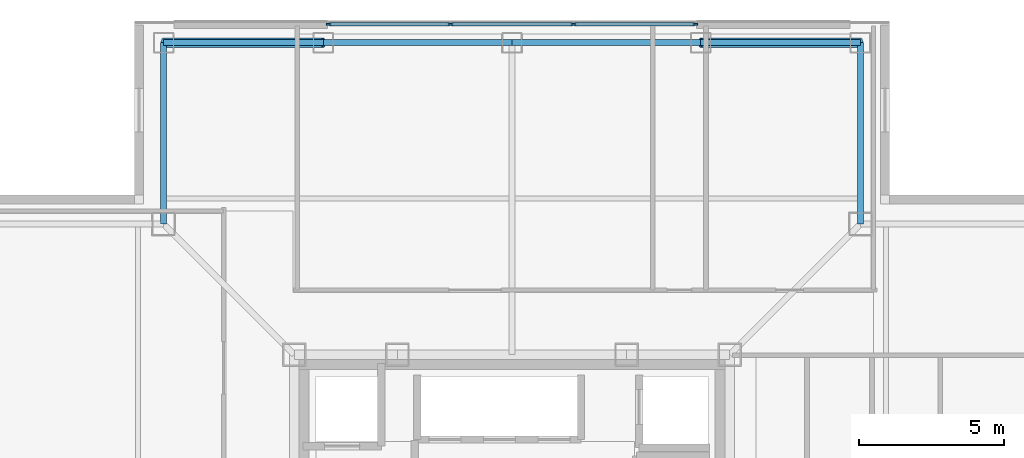
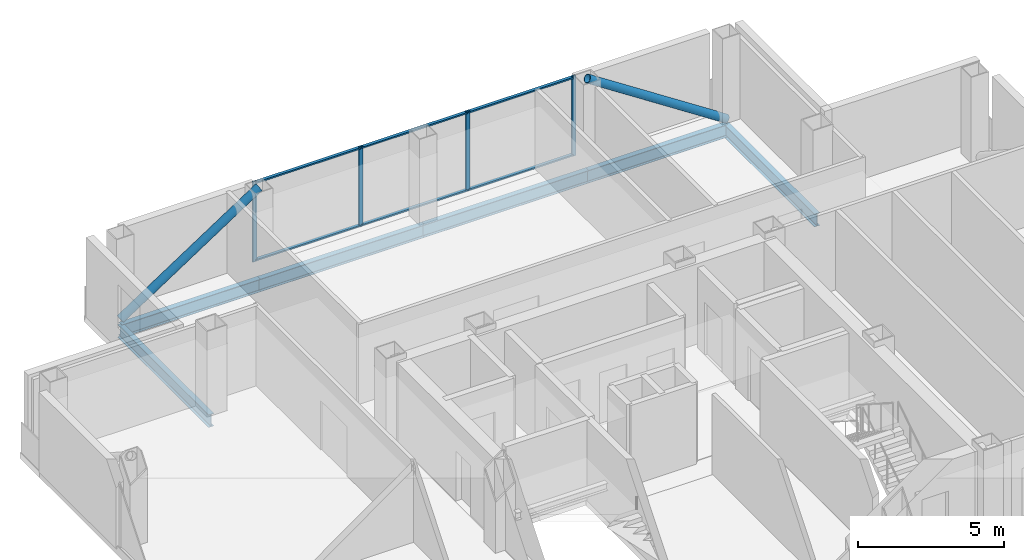
# One storey, part 7 of 16: 12 members, 6 beams, 1 element without a shape of its own.
"""IFC4 building model written with IfcOpenShell, lengths in metres."""

from ifc_helpers import new_model, si_unit, direction, frame, origin, origin_2d, place, context, subcontext, project, spatial, rectangle, hollow_circle, i_section, extrude, material, layer, layer_set, material_profile, profile_set, type_object, element, aggregate, save


model = new_model("IFC4")

# Units and contexts
model_context = context("Model", 3, precision=1e-05, world=origin(), true_north=direction((0.0, 1.0)))
body_context = subcontext(model_context, "Body", "Model", "MODEL_VIEW")
ifc_project = project(units=[si_unit("LENGTHUNIT", "METRE"), si_unit("AREAUNIT", "SQUARE_METRE"), si_unit("VOLUMEUNIT", "CUBIC_METRE"), si_unit("PLANEANGLEUNIT", "RADIAN"), si_unit("MASSUNIT", "GRAM", prefix="KILO")], contexts=[model_context])

# Site, building, storey
site_placement = place(None, origin())
site = spatial("IfcSite", under=ifc_project, at=site_placement, CompositionType="ELEMENT")
building_placement = place(site_placement, origin())
building = spatial("IfcBuilding", under=site, at=building_placement, Name="Trevonay Congress Spire", CompositionType="ELEMENT")
storey_placement = place(building_placement, frame((0.0, 0.0, 257.60009765625)))
storey = spatial("IfcBuildingStorey", under=building, at=storey_placement, Name="L67", CompositionType="ELEMENT", Elevation=257.60009765625)

# Beams
ifc_material_1 = material(Name="Steel ASTM A572 Grade 50", Category="steel")
ifc_material_profile_1 = material_profile(ifc_material_1, i_section(OverallWidth=0.208984375, OverallDepth=0.532958984375, WebThickness=0.01025390625, FlangeThickness=0.015625, FilletRadius=0.014892578125, at=origin_2d()), Name="W530x92")
ifc_profile_set_1 = profile_set([ifc_material_profile_1], Name="Steel ASTM A572 Grade 50")
beam_type = type_object("IfcBeamType", Name="BM-RING-W530X92", PredefinedType="BEAM", material=ifc_profile_set_1)
beam_1_placement = place(storey_placement, frame((-12.0, 18.25, -0.506591796875), z_axis=(1.0, 0.0, 0.0), x_axis=(0.0, 1.0, 0.0)))
element("IfcBeam", 1, at=beam_1_placement, inside=storey, type_object=beam_type, Name="L67 structural beam BM-L67-PN1", PredefinedType="BEAM", context=body_context, shape_type="SweptSolid", body=[
    extrude(i_section(OverallWidth=0.208984375, OverallDepth=0.532958984375, WebThickness=0.01025390625, FlangeThickness=0.015625, FilletRadius=0.014892578125, at=origin_2d()), origin(), (0.0, 0.0, 1.0), 5.5),
])
for number, where, z_axis, x_axis, name in (
    (2, (-6.5, 18.25, -0.506591796875), (1.0, 0.0, 0.0), (0.0, 1.0, 0.0), "L67 structural beam BM-L67-PN2"),
    (3, (0.0, 18.25, -0.506591796875), (1.0, 0.0, 0.0), (0.0, 1.0, 0.0), "L67 structural beam BM-L67-PN3"),
):
    element("IfcBeam", number, at=place(storey_placement, frame(where, z_axis=z_axis, x_axis=x_axis)), inside=storey, type_object=beam_type, Name=name, PredefinedType="BEAM", context=body_context, shape_type="SweptSolid", body=[
        extrude(i_section(OverallWidth=0.208984375, OverallDepth=0.532958984375, WebThickness=0.01025390625, FlangeThickness=0.015625, FilletRadius=0.014892578125, at=origin_2d()), origin(), (0.0, 0.0, 1.0), 6.5),
    ])
beam_2_placement = place(storey_placement, frame((6.5, 18.25, -0.506591796875), z_axis=(1.0, 0.0, 0.0), x_axis=(0.0, 1.0, 0.0)))
element("IfcBeam", 4, at=beam_2_placement, inside=storey, type_object=beam_type, Name="L67 structural beam BM-L67-PN4", PredefinedType="BEAM", context=body_context, shape_type="SweptSolid", body=[
    extrude(i_section(OverallWidth=0.208984375, OverallDepth=0.532958984375, WebThickness=0.01025390625, FlangeThickness=0.015625, FilletRadius=0.014892578125, at=origin_2d()), origin(), (0.0, 0.0, 1.0), 5.5),
])
for number, where, z_axis, x_axis, name in (
    (5, (12.0, 18.25, -0.506591796875), (0.0, -1.0, 0.0), (1.0, 0.0, 0.0), "L67 structural beam BM-L67-N1NE"),
    (6, (-12.0, 18.25, -0.506591796875), (0.0, -1.0, 0.0), (1.0, 0.0, 0.0), "L67 structural beam BM-L67-N1NW"),
):
    element("IfcBeam", number, at=place(storey_placement, frame(where, z_axis=z_axis, x_axis=x_axis)), inside=storey, type_object=beam_type, Name=name, PredefinedType="BEAM", context=body_context, shape_type="SweptSolid", body=[
        extrude(i_section(OverallWidth=0.208984375, OverallDepth=0.532958984375, WebThickness=0.01025390625, FlangeThickness=0.015625, FilletRadius=0.014892578125, at=origin_2d()), origin(), (0.0, 0.0, 1.0), 6.25),
    ])

# Curtain wall, members
ifc_material_2 = material(Name="Pale Anodised Aluminium EN AW-6063-T6", Category="aluminium")
ifc_layer = layer(ifc_material_2, 0.1650390625, Name="Pale Anodised Aluminium EN AW-6063-T6")
ifc_layer_set = layer_set([ifc_layer], Name="Pale Anodised Aluminium EN AW-6063-T6")
curtain_wall_type = type_object("IfcCurtainWallType", Name="CW-SYS05-DIPLOM-PALE-METAL", PredefinedType="NOTDEFINED", material=ifc_layer_set)
curtain_wall_placement = place(storey_placement, origin())
curtain_wall = element("IfcCurtainWall", 7, at=curtain_wall_placement, inside=storey, type_object=curtain_wall_type, Name="L67 N unitised curtain wall", PredefinedType="NOTDEFINED")
ifc_material_profile_2 = material_profile(ifc_material_2, rectangle(XDim=0.06005859375, YDim=0.159912109375, at=origin_2d()), Name="CW-MULLION-160-ALUMINIUM")
ifc_profile_set_2 = profile_set([ifc_material_profile_2], Name="Pale Anodised Aluminium EN AW-6063-T6")
member_type_1 = type_object("IfcMemberType", Name="CW-MULLION-160-ALUMINIUM", PredefinedType="MULLION", material=ifc_profile_set_2)
member_1_placement = place(storey_placement, frame((-6.320068359375, 18.8798828125, 0.0), z_axis=(0.0, 0.0, 1.0), x_axis=(0.0, 1.0, 0.0)))
member_1 = element("IfcMember", 8, at=member_1_placement, type_object=member_type_1, Name="CW05 mullion 1", PredefinedType="MULLION", context=body_context, shape_type="SweptSolid", body=[
    extrude(rectangle(XDim=0.06005859375, YDim=0.159912109375, at=origin_2d()), origin(), (0.0, 0.0, 1.0), 3.35986328125),
])
member_2_placement = place(storey_placement, frame((-2.11669921875, 18.8798828125, 0.0), z_axis=(0.0, 0.0, 1.0), x_axis=(0.0, 1.0, 0.0)))
member_2 = element("IfcMember", 9, at=member_2_placement, type_object=member_type_1, Name="CW05 mullion 2", PredefinedType="MULLION", context=body_context, shape_type="SweptSolid", body=[
    extrude(rectangle(XDim=0.06005859375, YDim=0.159912109375, at=origin_2d()), origin(), (0.0, 0.0, 1.0), 3.35986328125),
])
member_3_placement = place(storey_placement, frame((2.11669921875, 18.8798828125, 0.0), z_axis=(0.0, 0.0, 1.0), x_axis=(0.0, 1.0, 0.0)))
member_3 = element("IfcMember", 10, at=member_3_placement, type_object=member_type_1, Name="CW05 mullion 3", PredefinedType="MULLION", context=body_context, shape_type="SweptSolid", body=[
    extrude(rectangle(XDim=0.06005859375, YDim=0.159912109375, at=origin_2d()), origin(), (0.0, 0.0, 1.0), 3.35986328125),
])
member_4_placement = place(storey_placement, frame((6.320068359375, 18.8798828125, 0.0), z_axis=(0.0, 0.0, 1.0), x_axis=(0.0, 1.0, 0.0)))
member_4 = element("IfcMember", 11, at=member_4_placement, type_object=member_type_1, Name="CW05 mullion 4", PredefinedType="MULLION", context=body_context, shape_type="SweptSolid", body=[
    extrude(rectangle(XDim=0.06005859375, YDim=0.159912109375, at=origin_2d()), origin(), (0.0, 0.0, 1.0), 3.35986328125),
])
ifc_material_profile_3 = material_profile(ifc_material_2, rectangle(XDim=0.1201171875, YDim=0.06005859375, at=origin_2d()), Name="CW-TRANSOM-120-ALUMINIUM")
ifc_profile_set_3 = profile_set([ifc_material_profile_3], Name="Pale Anodised Aluminium EN AW-6063-T6")
member_type_2 = type_object("IfcMemberType", Name="CW-TRANSOM-120-ALUMINIUM", PredefinedType="USERDEFINED", material=ifc_profile_set_3)
member_5_placement = place(storey_placement, frame((-6.2900390625, 18.8798828125, 0.059814453125), z_axis=(1.0, 0.0, 0.0), x_axis=(0.0, 1.0, 0.0)))
member_5 = element("IfcMember", 12, at=member_5_placement, type_object=member_type_2, Name="CW05 transom 1.1", ObjectType="TRANSOM", PredefinedType="USERDEFINED", context=body_context, shape_type="SweptSolid", body=[
    extrude(rectangle(XDim=0.1201171875, YDim=0.06005859375, at=origin_2d()), origin(), (0.0, 0.0, 1.0), 4.143310546875),
])
member_6_placement = place(storey_placement, frame((-6.2900390625, 18.8798828125, 3.2998046875), z_axis=(1.0, 0.0, 0.0), x_axis=(0.0, 1.0, 0.0)))
member_6 = element("IfcMember", 13, at=member_6_placement, type_object=member_type_2, Name="CW05 transom 1.2", ObjectType="TRANSOM", PredefinedType="USERDEFINED", context=body_context, shape_type="SweptSolid", body=[
    extrude(rectangle(XDim=0.1201171875, YDim=0.06005859375, at=origin_2d()), origin(), (0.0, 0.0, 1.0), 4.143310546875),
])
member_7_placement = place(storey_placement, frame((-2.086669921875, 18.8798828125, 0.059814453125), z_axis=(1.0, 0.0, 0.0), x_axis=(0.0, 1.0, 0.0)))
member_7 = element("IfcMember", 14, at=member_7_placement, type_object=member_type_2, Name="CW05 transom 2.1", ObjectType="TRANSOM", PredefinedType="USERDEFINED", context=body_context, shape_type="SweptSolid", body=[
    extrude(rectangle(XDim=0.1201171875, YDim=0.06005859375, at=origin_2d()), origin(), (0.0, 0.0, 1.0), 4.17333984375),
])
member_8_placement = place(storey_placement, frame((-2.086669921875, 18.8798828125, 3.2998046875), z_axis=(1.0, 0.0, 0.0), x_axis=(0.0, 1.0, 0.0)))
member_8 = element("IfcMember", 15, at=member_8_placement, type_object=member_type_2, Name="CW05 transom 2.2", ObjectType="TRANSOM", PredefinedType="USERDEFINED", context=body_context, shape_type="SweptSolid", body=[
    extrude(rectangle(XDim=0.1201171875, YDim=0.06005859375, at=origin_2d()), origin(), (0.0, 0.0, 1.0), 4.17333984375),
])
member_9_placement = place(storey_placement, frame((2.146728515625, 18.8798828125, 0.059814453125), z_axis=(1.0, 0.0, 0.0), x_axis=(0.0, 1.0, 0.0)))
member_9 = element("IfcMember", 16, at=member_9_placement, type_object=member_type_2, Name="CW05 transom 3.1", ObjectType="TRANSOM", PredefinedType="USERDEFINED", context=body_context, shape_type="SweptSolid", body=[
    extrude(rectangle(XDim=0.1201171875, YDim=0.06005859375, at=origin_2d()), origin(), (0.0, 0.0, 1.0), 4.143310546875),
])
member_10_placement = place(storey_placement, frame((2.146728515625, 18.8798828125, 3.2998046875), z_axis=(1.0, 0.0, 0.0), x_axis=(0.0, 1.0, 0.0)))
member_10 = element("IfcMember", 17, at=member_10_placement, type_object=member_type_2, Name="CW05 transom 3.2", ObjectType="TRANSOM", PredefinedType="USERDEFINED", context=body_context, shape_type="SweptSolid", body=[
    extrude(rectangle(XDim=0.1201171875, YDim=0.06005859375, at=origin_2d()), origin(), (0.0, 0.0, 1.0), 4.143310546875),
])
aggregate(curtain_wall, [member_1, member_2, member_3, member_4, member_5, member_6, member_7, member_8, member_9, member_10])

# Members
ifc_material_3 = material(Name="Steel ASTM A500 Grade C", Category="steel")
ifc_material_profile_4 = material_profile(ifc_material_3, hollow_circle(Radius=0.161865234375, WallThickness=0.01611328125, at=origin_2d()), Name="CHS 323.9x16")
ifc_profile_set_4 = profile_set([ifc_material_profile_4], Name="Steel ASTM A500 Grade C")
member_type_3 = type_object("IfcMemberType", Name="MBR-TUBE-CHS324", PredefinedType="BRACE", material=ifc_profile_set_4)
for number, where, z_axis, x_axis, name in (
    (18, (-12.0, 18.25, -0.050048828125), (0.836711728151, 0.0, 0.547643573845), (0.0, 1.0, 0.0), "L67 perimeter braced-tube diagonal N0"),
    (19, (12.0, 18.25, -0.050048828125), (-0.836711728151, 0.0, 0.547643573845), (0.0, -1.0, 0.0), "L67 perimeter braced-tube diagonal N3"),
):
    element("IfcMember", number, at=place(storey_placement, frame(where, z_axis=z_axis, x_axis=x_axis)), inside=storey, type_object=member_type_3, Name=name, PredefinedType="BRACE", context=body_context, shape_type="SweptSolid", body=[
        extrude(hollow_circle(Radius=0.161865234375, WallThickness=0.01611328125, at=origin_2d()), origin(), (0.0, 0.0, 1.0), 6.5732421875),
    ])

save(model, "model.ifc")
